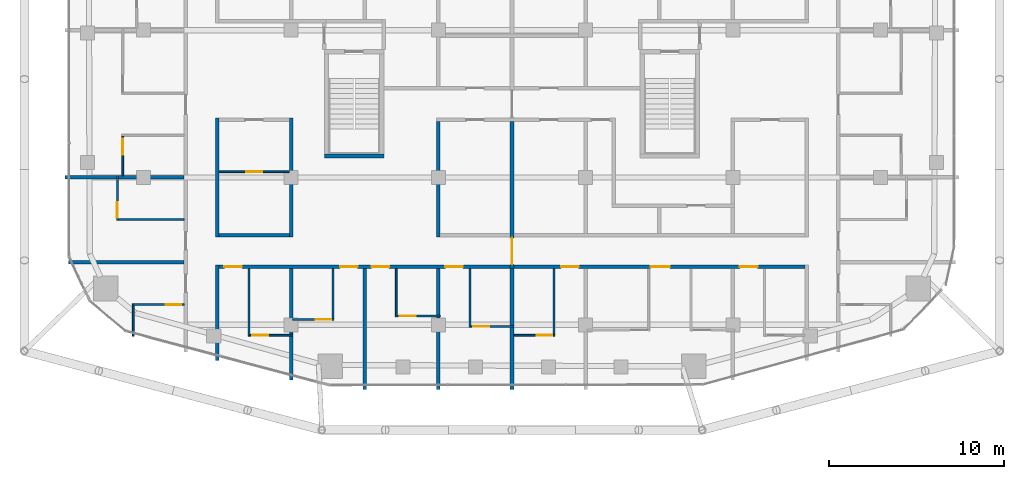
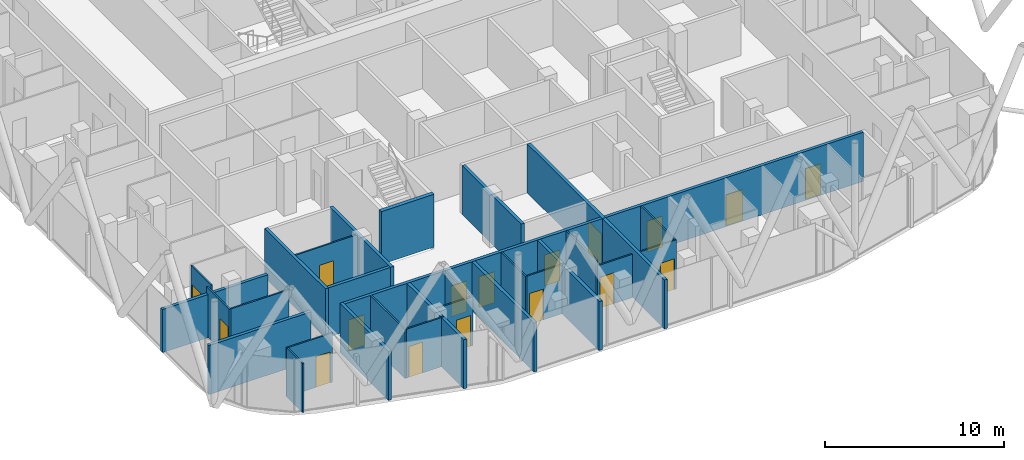
# One storey, part 20 of 28: 30 walls, 17 doors, 17 openings.
"""IFC4 building model written with IfcOpenShell, lengths in metres."""

from ifc_helpers import new_model, si_unit, direction, frame, frame_2d, origin, place, context, subcontext, project, spatial, rectangle, extrude, material, layer, layer_set, type_object, element, fill, save


model = new_model("IFC4")

# Units and contexts
model_context = context("Model", 3, precision=1e-05, world=origin(), true_north=direction((0.0, 1.0)))
body_context = subcontext(model_context, "Body", "Model", "MODEL_VIEW")
ifc_project = project(units=[si_unit("LENGTHUNIT", "METRE"), si_unit("AREAUNIT", "SQUARE_METRE"), si_unit("VOLUMEUNIT", "CUBIC_METRE"), si_unit("PLANEANGLEUNIT", "RADIAN"), si_unit("MASSUNIT", "GRAM", prefix="KILO")], contexts=[model_context])

# Site, building, storey
site_placement = place(None, origin())
site = spatial("IfcSite", under=ifc_project, at=site_placement, CompositionType="ELEMENT")
building_placement = place(site_placement, origin())
building = spatial("IfcBuilding", under=site, at=building_placement, Name="Marenta Gate Hotel Tower", CompositionType="ELEMENT")
storey_placement = place(building_placement, frame((0.0, 0.0, 212.89990234375)))
storey = spatial("IfcBuildingStorey", under=building, at=storey_placement, Name="L49", CompositionType="ELEMENT", Elevation=212.89990234375)

# Wall
ifc_material_1 = material(Name="Concrete blockwork", Category="masonry")
ifc_layer_1 = layer(ifc_material_1, 0.199951171875)
ifc_layer_set_1 = layer_set([ifc_layer_1], Name="Concrete blockwork")
wall_type_1 = type_object("IfcWallType", Name="Compartment wall 200 REI 180", PredefinedType="PARTITIONING", material=ifc_layer_set_1)
wall_1_placement = place(storey_placement, frame((0.0, -28.89990234375, 0.0), z_axis=(0.0, 0.0, 1.0), x_axis=(0.0, 1.0, 0.0)))
element("IfcWall", 1, at=wall_1_placement, inside=storey, type_object=wall_type_1, Name="L49-PTN-W080", PredefinedType="PARTITIONING", context=body_context, shape_type="SweptSolid", body=[
    extrude(rectangle(XDim=6.89990234375, YDim=0.199951171875, at=frame_2d((3.449951171875, 0.0))), origin(), (0.0, 0.0, 1.0), 3.340087890625),
])

# Wall, opening, door
wall_2_placement = place(storey_placement, frame((0.0, -22.0, 0.0), z_axis=(0.0, 0.0, 1.0), x_axis=(0.0, 1.0, 0.0)))
wall_2 = element("IfcWall", 2, at=wall_2_placement, inside=storey, type_object=wall_type_1, Name="L49-PTN-W081", PredefinedType="PARTITIONING", context=body_context, shape_type="SweptSolid", body=[
    extrude(rectangle(XDim=8.39990234375, YDim=0.199951171875, at=frame_2d((4.199951171875, 0.0))), origin(), (0.0, 0.0, 1.0), 3.340087890625),
])
opening_1_placement = place(wall_2_placement, frame((0.25, 0.0, 0.0)))
opening_1 = element("IfcOpeningElement", 3, at=opening_1_placement, cuts=wall_2, Name="Opening G17-FD4", PredefinedType="OPENING", context=body_context, shape_type="SweptSolid", body=[
    extrude(rectangle(XDim=1.5, YDim=2.10009765625, at=frame_2d((0.75, 1.050048828125))), frame((0.0, 0.10009765625, 0.0), z_axis=(0.0, -1.0, 0.0), x_axis=(1.0, 0.0, 0.0)), (0.0, 0.0, 1.0), 0.199951171875),
])
ifc_material_2 = material(Name="Hollow steel door set", Category="steel")
door_type_1 = type_object("IfcDoorType", Name="Compartment fire door 1500x2100 EI 60", OperationType="DOUBLE_DOOR_DOUBLE_SWING", PredefinedType="DOOR", material=ifc_material_2)
door_1_placement = place(opening_1_placement, origin())
door_1 = element("IfcDoor", 4, at=door_1_placement, inside=storey, type_object=door_type_1, Name="L49-PD-FD04", OperationType="DOUBLE_DOOR_DOUBLE_SWING", OverallHeight=2.10009765625, OverallWidth=1.5, PredefinedType="DOOR", context=body_context, shape_type="SweptSolid", body=[
    extrude(rectangle(XDim=1.5, YDim=2.10009765625, at=frame_2d((0.75, 1.050048828125))), frame((0.0, 0.02490234375, 0.0), z_axis=(0.0, -1.0, 0.0), x_axis=(1.0, 0.0, 0.0)), (0.0, 0.0, 1.0), 0.050048828125),
])
fill(opening_1, door_1)

# Walls
ifc_material_3 = material(Name="Concrete C40", Category="concrete")
ifc_layer_2 = layer(ifc_material_3, 0.25)
ifc_layer_set_2 = layer_set([ifc_layer_2], Name="Concrete C40")
wall_type_2 = type_object("IfcWallType", Name="Remote stair enclosure wall 250 REI 180", PredefinedType="SHEAR", material=ifc_layer_set_2)
wall_3_placement = place(storey_placement, frame((-10.699951171875, -15.574951171875, 0.10009765625), z_axis=(0.0, 0.0, 1.0), x_axis=(1.0, 0.0, 0.0)))
element("IfcWall", 5, at=wall_3_placement, inside=storey, type_object=wall_type_2, Name="L49-RS-Z3-1-W1", PredefinedType="SHEAR", context=body_context, shape_type="SweptSolid", body=[
    extrude(rectangle(XDim=3.39990234375, YDim=0.25, at=frame_2d((1.699951171875, 0.0))), origin(), (0.0, 0.0, 1.0), 3.60009765625),
])
ifc_material_4 = material(Name="Concrete blockwork", Category="masonry")
ifc_layer_3 = layer(ifc_material_4, 0.199951171875)
ifc_layer_set_3 = layer_set([ifc_layer_3], Name="Concrete blockwork")
wall_type_3 = type_object("IfcWallType", Name="Room corridor wall 200 EI 120", PredefinedType="PARTITIONING", material=ifc_layer_set_3)
wall_4_placement = place(storey_placement, frame((-16.699951171875, -20.10009765625, 0.0), z_axis=(0.0, 0.0, 1.0), x_axis=(1.0, 0.0, 0.0)))
element("IfcWall", 6, at=wall_4_placement, inside=storey, type_object=wall_type_3, Name="L49-PTN-W025", PredefinedType="PARTITIONING", context=body_context, shape_type="SweptSolid", body=[
    extrude(rectangle(XDim=4.0, YDim=0.199951171875, at=frame_2d((2.0, 0.0))), origin(), (0.0, 0.0, 1.0), 3.340087890625),
])
for number, where, z_axis, x_axis, name in (
    (7, (-12.60009765625, -20.199951171875, 0.0), (0.0, 0.0, 1.0), (0.0, 1.0, 0.0), "L49-PTN-W107"),
    (8, (-16.800048828125, -20.199951171875, 0.0), (0.0, 0.0, 1.0), (0.0, 1.0, 0.0), "L49-PTN-W113"),
):
    element("IfcWall", number, at=place(storey_placement, frame(where, z_axis=z_axis, x_axis=x_axis)), inside=storey, type_object=wall_type_3, Name=name, PredefinedType="PARTITIONING", context=body_context, shape_type="SweptSolid", body=[
        extrude(rectangle(XDim=6.800048828125, YDim=0.199951171875, at=frame_2d((3.39990234375, 0.0))), origin(), (0.0, 0.0, 1.0), 3.340087890625),
    ])

# Wall, openings, doors
ifc_material_5 = material(Name="Gypsum board on steel stud", Category="steel")
ifc_layer_4 = layer(ifc_material_5, 0.199951171875)
ifc_layer_set_4 = layer_set([ifc_layer_4], Name="Gypsum board on steel stud")
wall_type_4 = type_object("IfcWallType", Name="Room corridor wall 200 EI 60", PredefinedType="PARTITIONING", material=ifc_layer_set_4)
wall_5_placement = place(storey_placement, frame((-16.699951171875, -21.89990234375, 0.0), z_axis=(0.0, 0.0, 1.0), x_axis=(1.0, 0.0, 0.0)))
wall_5 = element("IfcWall", 9, at=wall_5_placement, inside=storey, type_object=wall_type_4, Name="L49-PTN-W019", PredefinedType="PARTITIONING", context=body_context, shape_type="SweptSolid", body=[
    extrude(rectangle(XDim=33.39990234375, YDim=0.199951171875, at=frame_2d((16.699951171875, 0.0))), origin(), (0.0, 0.0, 1.0), 3.340087890625),
])
opening_2_placement = place(wall_5_placement, frame((0.300048828125, 0.0, 0.0)))
opening_2 = element("IfcOpeningElement", 10, at=opening_2_placement, cuts=wall_5, Name="Opening G17-41", PredefinedType="OPENING", context=body_context, shape_type="SweptSolid", body=[
    extrude(rectangle(XDim=1.0, YDim=2.10009765625, at=frame_2d((0.5, 1.050048828125))), frame((0.0, 0.10009765625, 0.0), z_axis=(0.0, -1.0, 0.0), x_axis=(1.0, 0.0, 0.0)), (0.0, 0.0, 1.0), 0.199951171875),
])
opening_3_placement = place(wall_5_placement, frame((6.89990234375, 0.0, 0.0)))
opening_3 = element("IfcOpeningElement", 11, at=opening_3_placement, cuts=wall_5, Name="Opening G17-43", PredefinedType="OPENING", context=body_context, shape_type="SweptSolid", body=[
    extrude(rectangle(XDim=1.0, YDim=2.10009765625, at=frame_2d((0.5, 1.050048828125))), frame((0.0, 0.10009765625, 0.0), z_axis=(0.0, -1.0, 0.0), x_axis=(1.0, 0.0, 0.0)), (0.0, 0.0, 1.0), 0.199951171875),
])
opening_4_placement = place(wall_5_placement, frame((8.699951171875, 0.0, 0.0)))
opening_4 = element("IfcOpeningElement", 12, at=opening_4_placement, cuts=wall_5, Name="Opening G17-45", PredefinedType="OPENING", context=body_context, shape_type="SweptSolid", body=[
    extrude(rectangle(XDim=1.0, YDim=2.10009765625, at=frame_2d((0.5, 1.050048828125))), frame((0.0, 0.10009765625, 0.0), z_axis=(0.0, -1.0, 0.0), x_axis=(1.0, 0.0, 0.0)), (0.0, 0.0, 1.0), 0.199951171875),
])
opening_5_placement = place(wall_5_placement, frame((12.89990234375, 0.0, 0.0)))
opening_5 = element("IfcOpeningElement", 13, at=opening_5_placement, cuts=wall_5, Name="Opening G17-47", PredefinedType="OPENING", context=body_context, shape_type="SweptSolid", body=[
    extrude(rectangle(XDim=1.0, YDim=2.10009765625, at=frame_2d((0.5, 1.050048828125))), frame((0.0, 0.10009765625, 0.0), z_axis=(0.0, -1.0, 0.0), x_axis=(1.0, 0.0, 0.0)), (0.0, 0.0, 1.0), 0.199951171875),
])
opening_6_placement = place(wall_5_placement, frame((19.5, 0.0, 0.0)))
opening_6 = element("IfcOpeningElement", 14, at=opening_6_placement, cuts=wall_5, Name="Opening G17-49", PredefinedType="OPENING", context=body_context, shape_type="SweptSolid", body=[
    extrude(rectangle(XDim=1.0, YDim=2.10009765625, at=frame_2d((0.5, 1.050048828125))), frame((0.0, 0.10009765625, 0.0), z_axis=(0.0, -1.0, 0.0), x_axis=(1.0, 0.0, 0.0)), (0.0, 0.0, 1.0), 0.199951171875),
])
opening_7_placement = place(wall_5_placement, frame((24.60009765625, 0.0, 0.0)))
opening_7 = element("IfcOpeningElement", 15, at=opening_7_placement, cuts=wall_5, Name="Opening G17-51", PredefinedType="OPENING", context=body_context, shape_type="SweptSolid", body=[
    extrude(rectangle(XDim=1.10009765625, YDim=2.10009765625, at=frame_2d((0.550048828125, 1.050048828125))), frame((0.0, 0.10009765625, 0.0), z_axis=(0.0, -1.0, 0.0), x_axis=(1.0, 0.0, 0.0)), (0.0, 0.0, 1.0), 0.199951171875),
])
opening_8_placement = place(wall_5_placement, frame((29.699951171875, 0.0, 0.0)))
opening_8 = element("IfcOpeningElement", 16, at=opening_8_placement, cuts=wall_5, Name="Opening G17-54", PredefinedType="OPENING", context=body_context, shape_type="SweptSolid", body=[
    extrude(rectangle(XDim=1.0, YDim=2.10009765625, at=frame_2d((0.5, 1.050048828125))), frame((0.0, 0.10009765625, 0.0), z_axis=(0.0, -1.0, 0.0), x_axis=(1.0, 0.0, 0.0)), (0.0, 0.0, 1.0), 0.199951171875),
])
ifc_material_6 = material(Name="Timber door leaf", Category="wood")
door_type_2 = type_object("IfcDoorType", Name="Guest room door 1000x2100 EI 30", OperationType="NOTDEFINED", PredefinedType="DOOR", material=ifc_material_6)
door_2_placement = place(opening_2_placement, origin())
door_2 = element("IfcDoor", 17, at=door_2_placement, inside=storey, type_object=door_type_2, Name="L49-PD-D041", OperationType="SINGLE_SWING_RIGHT", OverallHeight=2.10009765625, OverallWidth=1.0, PredefinedType="DOOR", context=body_context, shape_type="SweptSolid", body=[
    extrude(rectangle(XDim=1.0, YDim=2.10009765625, at=frame_2d((0.5, 1.050048828125))), frame((0.0, 0.02490234375, 0.0), z_axis=(0.0, -1.0, 0.0), x_axis=(1.0, 0.0, 0.0)), (0.0, 0.0, 1.0), 0.050048828125),
])
fill(opening_2, door_2)
door_3_placement = place(opening_3_placement, origin())
door_3 = element("IfcDoor", 18, at=door_3_placement, inside=storey, type_object=door_type_2, Name="L49-PD-D043", OperationType="SINGLE_SWING_LEFT", OverallHeight=2.10009765625, OverallWidth=1.0, PredefinedType="DOOR", context=body_context, shape_type="SweptSolid", body=[
    extrude(rectangle(XDim=1.0, YDim=2.10009765625, at=frame_2d((0.5, 1.050048828125))), frame((0.0, 0.02490234375, 0.0), z_axis=(0.0, -1.0, 0.0), x_axis=(1.0, 0.0, 0.0)), (0.0, 0.0, 1.0), 0.050048828125),
])
fill(opening_3, door_3)
door_4_placement = place(opening_4_placement, origin())
door_4 = element("IfcDoor", 19, at=door_4_placement, inside=storey, type_object=door_type_2, Name="L49-PD-D045", OperationType="SINGLE_SWING_LEFT", OverallHeight=2.10009765625, OverallWidth=1.0, PredefinedType="DOOR", context=body_context, shape_type="SweptSolid", body=[
    extrude(rectangle(XDim=1.0, YDim=2.10009765625, at=frame_2d((0.5, 1.050048828125))), frame((0.0, 0.02490234375, 0.0), z_axis=(0.0, -1.0, 0.0), x_axis=(1.0, 0.0, 0.0)), (0.0, 0.0, 1.0), 0.050048828125),
])
fill(opening_4, door_4)
door_5_placement = place(opening_5_placement, origin())
door_5 = element("IfcDoor", 20, at=door_5_placement, inside=storey, type_object=door_type_2, Name="L49-PD-D047", OperationType="SINGLE_SWING_LEFT", OverallHeight=2.10009765625, OverallWidth=1.0, PredefinedType="DOOR", context=body_context, shape_type="SweptSolid", body=[
    extrude(rectangle(XDim=1.0, YDim=2.10009765625, at=frame_2d((0.5, 1.050048828125))), frame((0.0, 0.02490234375, 0.0), z_axis=(0.0, -1.0, 0.0), x_axis=(1.0, 0.0, 0.0)), (0.0, 0.0, 1.0), 0.050048828125),
])
fill(opening_5, door_5)
door_6_placement = place(opening_6_placement, origin())
door_6 = element("IfcDoor", 21, at=door_6_placement, inside=storey, type_object=door_type_2, Name="L49-PD-D049", OperationType="SINGLE_SWING_LEFT", OverallHeight=2.10009765625, OverallWidth=1.0, PredefinedType="DOOR", context=body_context, shape_type="SweptSolid", body=[
    extrude(rectangle(XDim=1.0, YDim=2.10009765625, at=frame_2d((0.5, 1.050048828125))), frame((0.0, 0.02490234375, 0.0), z_axis=(0.0, -1.0, 0.0), x_axis=(1.0, 0.0, 0.0)), (0.0, 0.0, 1.0), 0.050048828125),
])
fill(opening_6, door_6)
door_7_placement = place(opening_8_placement, origin())
door_7 = element("IfcDoor", 22, at=door_7_placement, inside=storey, type_object=door_type_2, Name="L49-PD-D054", OperationType="SINGLE_SWING_RIGHT", OverallHeight=2.10009765625, OverallWidth=1.0, PredefinedType="DOOR", context=body_context, shape_type="SweptSolid", body=[
    extrude(rectangle(XDim=1.0, YDim=2.10009765625, at=frame_2d((0.5, 1.050048828125))), frame((0.0, 0.02490234375, 0.0), z_axis=(0.0, -1.0, 0.0), x_axis=(1.0, 0.0, 0.0)), (0.0, 0.0, 1.0), 0.050048828125),
])
fill(opening_8, door_7)
ifc_material_7 = material(Name="Timber door leaf", Category="wood")
door_type_3 = type_object("IfcDoorType", Name="Guest room door 1100x2100 EI 30", OperationType="NOTDEFINED", PredefinedType="DOOR", material=ifc_material_7)
door_8_placement = place(opening_7_placement, origin())
door_8 = element("IfcDoor", 23, at=door_8_placement, inside=storey, type_object=door_type_3, Name="L49-PD-D051", OperationType="SINGLE_SWING_RIGHT", OverallHeight=2.10009765625, OverallWidth=1.10009765625, PredefinedType="DOOR", context=body_context, shape_type="SweptSolid", body=[
    extrude(rectangle(XDim=1.10009765625, YDim=2.10009765625, at=frame_2d((0.550048828125, 1.050048828125))), frame((0.0, 0.02490234375, 0.0), z_axis=(0.0, -1.0, 0.0), x_axis=(1.0, 0.0, 0.0)), (0.0, 0.0, 1.0), 0.050048828125),
])
fill(opening_7, door_8)

# Walls
wall_6_placement = place(storey_placement, frame((-4.199951171875, -20.199951171875, 0.0), z_axis=(0.0, 0.0, 1.0), x_axis=(0.0, 1.0, 0.0)))
element("IfcWall", 24, at=wall_6_placement, inside=storey, type_object=wall_type_4, Name="L49-PTN-W090", PredefinedType="PARTITIONING", context=body_context, shape_type="SweptSolid", body=[
    extrude(rectangle(XDim=6.599853515625, YDim=0.199951171875, at=frame_2d((3.2998046875, 0.0))), origin(), (0.0, 0.0, 1.0), 3.340087890625),
])
wall_7_placement = place(storey_placement, frame((-16.800048828125, -27.22900390625, 0.0), z_axis=(0.0, 0.0, 1.0), x_axis=(0.0, 1.0, 0.0)))
element("IfcWall", 25, at=wall_7_placement, inside=storey, type_object=wall_type_4, Name="L49-PTN-W112", PredefinedType="PARTITIONING", context=body_context, shape_type="SweptSolid", body=[
    extrude(rectangle(XDim=5.428955078125, YDim=0.199951171875, at=frame_2d((2.71435546875, 0.0))), origin(), (0.0, 0.0, 1.0), 3.340087890625),
])

# Wall, opening, door
ifc_material_8 = material(Name="Gypsum board on steel stud", Category="steel")
ifc_layer_5 = layer(ifc_material_8, 0.10009765625)
ifc_layer_set_5 = layer_set([ifc_layer_5], Name="Gypsum board on steel stud")
wall_type_5 = type_object("IfcWallType", Name="Room partition 100", PredefinedType="PARTITIONING", material=ifc_layer_set_5)
wall_8_placement = place(storey_placement, frame((-14.949951171875, -25.800048828125, 0.0), z_axis=(0.0, 0.0, 1.0), x_axis=(1.0, 0.0, 0.0)))
wall_8 = element("IfcWall", 26, at=wall_8_placement, inside=storey, type_object=wall_type_5, Name="L49-PTN-W001", PredefinedType="PARTITIONING", context=body_context, shape_type="SweptSolid", body=[
    extrude(rectangle(XDim=2.449951171875, YDim=0.10009765625, at=frame_2d((1.22509765625, 0.0))), origin(), (0.0, 0.0, 1.0), 3.340087890625),
])
opening_9_placement = place(wall_8_placement, frame((0.14990234375, 0.0, 0.0)))
opening_9 = element("IfcOpeningElement", 27, at=opening_9_placement, cuts=wall_8, Name="Opening G17-42", PredefinedType="OPENING", context=body_context, shape_type="SweptSolid", body=[
    extrude(rectangle(XDim=0.89990234375, YDim=2.10009765625, at=frame_2d((0.449951171875, 1.050048828125))), frame((0.0, 0.050048828125, 0.0), z_axis=(0.0, -1.0, 0.0), x_axis=(1.0, 0.0, 0.0)), (0.0, 0.0, 1.0), 0.10009765625),
])
ifc_material_9 = material(Name="Timber door leaf", Category="wood")
door_type_4 = type_object("IfcDoorType", Name="Guest bathroom door 900x2100", OperationType="NOTDEFINED", PredefinedType="DOOR", material=ifc_material_9)
door_9_placement = place(opening_9_placement, origin())
door_9 = element("IfcDoor", 28, at=door_9_placement, inside=storey, type_object=door_type_4, Name="L49-PD-D042", OperationType="SINGLE_SWING_LEFT", OverallHeight=2.10009765625, OverallWidth=0.89990234375, PredefinedType="DOOR", context=body_context, shape_type="SweptSolid", body=[
    extrude(rectangle(XDim=0.89990234375, YDim=2.10009765625, at=frame_2d((0.449951171875, 1.050048828125))), frame((0.0, 0.02490234375, 0.0), z_axis=(0.0, -1.0, 0.0), x_axis=(1.0, 0.0, 0.0)), (0.0, 0.0, 1.0), 0.050048828125),
])
fill(opening_9, door_9)

wall_9_placement = place(storey_placement, frame((0.10009765625, -25.800048828125, 0.0), z_axis=(0.0, 0.0, 1.0), x_axis=(1.0, 0.0, 0.0)))
wall_9 = element("IfcWall", 29, at=wall_9_placement, inside=storey, type_object=wall_type_5, Name="L49-PTN-W002", PredefinedType="PARTITIONING", context=body_context, shape_type="SweptSolid", body=[
    extrude(rectangle(XDim=2.349853515625, YDim=0.10009765625, at=frame_2d((1.1748046875, 0.0))), origin(), (0.0, 0.0, 1.0), 3.340087890625),
])
opening_10_placement = place(wall_9_placement, frame((1.300048828125, 0.0, 0.0)))
opening_10 = element("IfcOpeningElement", 30, at=opening_10_placement, cuts=wall_9, Name="Opening G17-50", PredefinedType="OPENING", context=body_context, shape_type="SweptSolid", body=[
    extrude(rectangle(XDim=0.89990234375, YDim=2.10009765625, at=frame_2d((0.449951171875, 1.050048828125))), frame((0.0, 0.050048828125, 0.0), z_axis=(0.0, -1.0, 0.0), x_axis=(1.0, 0.0, 0.0)), (0.0, 0.0, 1.0), 0.10009765625),
])
door_10_placement = place(opening_10_placement, origin())
door_10 = element("IfcDoor", 31, at=door_10_placement, inside=storey, type_object=door_type_4, Name="L49-PD-D050", OperationType="SINGLE_SWING_RIGHT", OverallHeight=2.10009765625, OverallWidth=0.89990234375, PredefinedType="DOOR", context=body_context, shape_type="SweptSolid", body=[
    extrude(rectangle(XDim=0.89990234375, YDim=2.10009765625, at=frame_2d((0.449951171875, 1.050048828125))), frame((0.0, 0.02490234375, 0.0), z_axis=(0.0, -1.0, 0.0), x_axis=(1.0, 0.0, 0.0)), (0.0, 0.0, 1.0), 0.050048828125),
])
fill(opening_10, door_10)

wall_10_placement = place(storey_placement, frame((-2.35009765625, -25.300048828125, 0.0), z_axis=(0.0, 0.0, 1.0), x_axis=(1.0, 0.0, 0.0)))
wall_10 = element("IfcWall", 32, at=wall_10_placement, inside=storey, type_object=wall_type_5, Name="L49-PTN-W006", PredefinedType="PARTITIONING", context=body_context, shape_type="SweptSolid", body=[
    extrude(rectangle(XDim=2.4501953125, YDim=0.10009765625, at=frame_2d((1.22509765625, 0.0))), origin(), (0.0, 0.0, 1.0), 2.940185546875),
])
opening_11_placement = place(wall_10_placement, frame((0.14990234375, 0.0, 0.0)))
opening_11 = element("IfcOpeningElement", 33, at=opening_11_placement, cuts=wall_10, Name="Opening G17-48", PredefinedType="OPENING", context=body_context, shape_type="SweptSolid", body=[
    extrude(rectangle(XDim=0.89990234375, YDim=2.10009765625, at=frame_2d((0.449951171875, 1.050048828125))), frame((0.0, 0.050048828125, 0.0), z_axis=(0.0, -1.0, 0.0), x_axis=(1.0, 0.0, 0.0)), (0.0, 0.0, 1.0), 0.10009765625),
])
door_11_placement = place(opening_11_placement, origin())
door_11 = element("IfcDoor", 34, at=door_11_placement, inside=storey, type_object=door_type_4, Name="L49-PD-D048", OperationType="SINGLE_SWING_LEFT", OverallHeight=2.10009765625, OverallWidth=0.89990234375, PredefinedType="DOOR", context=body_context, shape_type="SweptSolid", body=[
    extrude(rectangle(XDim=0.89990234375, YDim=2.10009765625, at=frame_2d((0.449951171875, 1.050048828125))), frame((0.0, 0.02490234375, 0.0), z_axis=(0.0, -1.0, 0.0), x_axis=(1.0, 0.0, 0.0)), (0.0, 0.0, 1.0), 0.050048828125),
])
fill(opening_11, door_11)

wall_11_placement = place(storey_placement, frame((-12.5, -24.89990234375, 0.0), z_axis=(0.0, 0.0, 1.0), x_axis=(1.0, 0.0, 0.0)))
wall_11 = element("IfcWall", 35, at=wall_11_placement, inside=storey, type_object=wall_type_5, Name="L49-PTN-W007", PredefinedType="PARTITIONING", context=body_context, shape_type="SweptSolid", body=[
    extrude(rectangle(XDim=2.35009765625, YDim=0.10009765625, at=frame_2d((1.175048828125, 0.0))), origin(), (0.0, 0.0, 1.0), 3.340087890625),
])
opening_12_placement = place(wall_11_placement, frame((1.300048828125, 0.0, 0.0)))
opening_12 = element("IfcOpeningElement", 36, at=opening_12_placement, cuts=wall_11, Name="Opening G17-44", PredefinedType="OPENING", context=body_context, shape_type="SweptSolid", body=[
    extrude(rectangle(XDim=0.89990234375, YDim=2.10009765625, at=frame_2d((0.449951171875, 1.050048828125))), frame((0.0, 0.050048828125, 0.0), z_axis=(0.0, -1.0, 0.0), x_axis=(1.0, 0.0, 0.0)), (0.0, 0.0, 1.0), 0.10009765625),
])
door_12_placement = place(opening_12_placement, origin())
door_12 = element("IfcDoor", 37, at=door_12_placement, inside=storey, type_object=door_type_4, Name="L49-PD-D044", OperationType="SINGLE_SWING_RIGHT", OverallHeight=2.10009765625, OverallWidth=0.89990234375, PredefinedType="DOOR", context=body_context, shape_type="SweptSolid", body=[
    extrude(rectangle(XDim=0.89990234375, YDim=2.10009765625, at=frame_2d((0.449951171875, 1.050048828125))), frame((0.0, 0.02490234375, 0.0), z_axis=(0.0, -1.0, 0.0), x_axis=(1.0, 0.0, 0.0)), (0.0, 0.0, 1.0), 0.050048828125),
])
fill(opening_12, door_12)

wall_12_placement = place(storey_placement, frame((-6.550048828125, -24.699951171875, 0.0), z_axis=(0.0, 0.0, 1.0), x_axis=(1.0, 0.0, 0.0)))
wall_12 = element("IfcWall", 38, at=wall_12_placement, inside=storey, type_object=wall_type_5, Name="L49-PTN-W008", PredefinedType="PARTITIONING", context=body_context, shape_type="SweptSolid", body=[
    extrude(rectangle(XDim=2.449951171875, YDim=0.10009765625, at=frame_2d((1.22509765625, 0.0))), origin(), (0.0, 0.0, 1.0), 3.340087890625),
])
opening_13_placement = place(wall_12_placement, frame((0.14990234375, 0.0, 0.0)))
opening_13 = element("IfcOpeningElement", 39, at=opening_13_placement, cuts=wall_12, Name="Opening G17-46", PredefinedType="OPENING", context=body_context, shape_type="SweptSolid", body=[
    extrude(rectangle(XDim=0.89990234375, YDim=2.10009765625, at=frame_2d((0.449951171875, 1.050048828125))), frame((0.0, 0.050048828125, 0.0), z_axis=(0.0, -1.0, 0.0), x_axis=(1.0, 0.0, 0.0)), (0.0, 0.0, 1.0), 0.10009765625),
])
door_13_placement = place(opening_13_placement, origin())
door_13 = element("IfcDoor", 40, at=door_13_placement, inside=storey, type_object=door_type_4, Name="L49-PD-D046", OperationType="SINGLE_SWING_LEFT", OverallHeight=2.10009765625, OverallWidth=0.89990234375, PredefinedType="DOOR", context=body_context, shape_type="SweptSolid", body=[
    extrude(rectangle(XDim=0.89990234375, YDim=2.10009765625, at=frame_2d((0.449951171875, 1.050048828125))), frame((0.0, 0.02490234375, 0.0), z_axis=(0.0, -1.0, 0.0), x_axis=(1.0, 0.0, 0.0)), (0.0, 0.0, 1.0), 0.050048828125),
])
fill(opening_13, door_13)

wall_13_placement = place(storey_placement, frame((-21.64990234375, -24.051025390625, 0.0), z_axis=(0.0, 0.0, 1.0), x_axis=(1.0, 0.0, 0.0)))
wall_13 = element("IfcWall", 41, at=wall_13_placement, inside=storey, type_object=wall_type_5, Name="L49-PTN-W009", PredefinedType="PARTITIONING", context=body_context, shape_type="SweptSolid", body=[
    extrude(rectangle(XDim=2.949951171875, YDim=0.10009765625, at=frame_2d((1.47509765625, 0.0))), origin(), (0.0, 0.0, 1.0), 3.340087890625),
])
opening_14_placement = place(wall_13_placement, frame((1.89990234375, 0.0, 0.0)))
opening_14 = element("IfcOpeningElement", 42, at=opening_14_placement, cuts=wall_13, Name="Opening G17-57", PredefinedType="OPENING", context=body_context, shape_type="SweptSolid", body=[
    extrude(rectangle(XDim=0.89990234375, YDim=2.10009765625, at=frame_2d((0.449951171875, 1.050048828125))), frame((0.0, 0.050048828125, 0.0), z_axis=(0.0, -1.0, 0.0), x_axis=(1.0, 0.0, 0.0)), (0.0, 0.0, 1.0), 0.10009765625),
])
door_14_placement = place(opening_14_placement, origin())
door_14 = element("IfcDoor", 43, at=door_14_placement, inside=storey, type_object=door_type_4, Name="L49-PD-D057", OperationType="SINGLE_SWING_LEFT", OverallHeight=2.10009765625, OverallWidth=0.89990234375, PredefinedType="DOOR", context=body_context, shape_type="SweptSolid", body=[
    extrude(rectangle(XDim=0.89990234375, YDim=2.10009765625, at=frame_2d((0.449951171875, 1.050048828125))), frame((0.0, 0.02490234375, 0.0), z_axis=(0.0, -1.0, 0.0), x_axis=(1.0, 0.0, 0.0)), (0.0, 0.0, 1.0), 0.050048828125),
])
fill(opening_14, door_14)

# Wall
wall_14_placement = place(storey_placement, frame((-22.449951171875, -19.199951171875, 0.0), z_axis=(0.0, 0.0, 1.0), x_axis=(1.0, 0.0, 0.0)))
element("IfcWall", 44, at=wall_14_placement, inside=storey, type_object=wall_type_5, Name="L49-PTN-W027", PredefinedType="PARTITIONING", context=body_context, shape_type="SweptSolid", body=[
    extrude(rectangle(XDim=3.75, YDim=0.10009765625, at=frame_2d((1.875, 0.0))), origin(), (0.0, 0.0, 1.0), 3.340087890625),
])

# Wall, opening, door
wall_15_placement = place(storey_placement, frame((-16.699951171875, -16.469970703125, 0.0), z_axis=(0.0, 0.0, 1.0), x_axis=(1.0, 0.0, 0.0)))
wall_15 = element("IfcWall", 45, at=wall_15_placement, inside=storey, type_object=wall_type_5, Name="L49-PTN-W037", PredefinedType="PARTITIONING", context=body_context, shape_type="SweptSolid", body=[
    extrude(rectangle(XDim=4.0, YDim=0.10009765625, at=frame_2d((2.0, 0.0))), origin(), (0.0, 0.0, 1.0), 3.340087890625),
])
opening_15_placement = place(wall_15_placement, frame((1.550048828125, 0.0, 0.0)))
opening_15 = element("IfcOpeningElement", 46, at=opening_15_placement, cuts=wall_15, Name="Opening G17-10", PredefinedType="OPENING", context=body_context, shape_type="SweptSolid", body=[
    extrude(rectangle(XDim=0.89990234375, YDim=2.10009765625, at=frame_2d((0.449951171875, 1.050048828125))), frame((0.0, 0.050048828125, 0.0), z_axis=(0.0, -1.0, 0.0), x_axis=(1.0, 0.0, 0.0)), (0.0, 0.0, 1.0), 0.10009765625),
])
ifc_material_10 = material(Name="Timber door leaf", Category="wood")
door_type_5 = type_object("IfcDoorType", Name="Room inner door 900x2100", OperationType="NOTDEFINED", PredefinedType="DOOR", material=ifc_material_10)
door_15_placement = place(opening_15_placement, origin())
door_15 = element("IfcDoor", 47, at=door_15_placement, inside=storey, type_object=door_type_5, Name="L49-PD-D010", OperationType="SINGLE_SWING_LEFT", OverallHeight=2.10009765625, OverallWidth=0.89990234375, PredefinedType="DOOR", context=body_context, shape_type="SweptSolid", body=[
    extrude(rectangle(XDim=0.89990234375, YDim=2.10009765625, at=frame_2d((0.449951171875, 1.050048828125))), frame((0.0, 0.02490234375, 0.0), z_axis=(0.0, -1.0, 0.0), x_axis=(1.0, 0.0, 0.0)), (0.0, 0.0, 1.0), 0.050048828125),
])
fill(opening_15, door_15)

# Walls
wall_16_placement = place(storey_placement, frame((2.39990234375, -25.75, 0.0), z_axis=(0.0, 0.0, 1.0), x_axis=(0.0, 1.0, 0.0)))
element("IfcWall", 48, at=wall_16_placement, inside=storey, type_object=wall_type_5, Name="L49-PTN-W076", PredefinedType="PARTITIONING", context=body_context, shape_type="SweptSolid", body=[
    extrude(rectangle(XDim=3.75, YDim=0.10009765625, at=frame_2d((1.875, 0.0))), origin(), (0.0, 0.0, 1.0), 3.340087890625),
])
wall_17_placement = place(storey_placement, frame((-2.39990234375, -25.35009765625, 0.0), z_axis=(0.0, 0.0, 1.0), x_axis=(0.0, 1.0, 0.0)))
element("IfcWall", 49, at=wall_17_placement, inside=storey, type_object=wall_type_5, Name="L49-PTN-W085", PredefinedType="PARTITIONING", context=body_context, shape_type="SweptSolid", body=[
    extrude(rectangle(XDim=3.35009765625, YDim=0.10009765625, at=frame_2d((1.675048828125, 0.0))), origin(), (0.0, 0.0, 1.0), 3.340087890625),
])
wall_18_placement = place(storey_placement, frame((-6.60009765625, -24.75, 0.0), z_axis=(0.0, 0.0, 1.0), x_axis=(0.0, 1.0, 0.0)))
element("IfcWall", 50, at=wall_18_placement, inside=storey, type_object=wall_type_5, Name="L49-PTN-W094", PredefinedType="PARTITIONING", context=body_context, shape_type="SweptSolid", body=[
    extrude(rectangle(XDim=2.75, YDim=0.10009765625, at=frame_2d((1.375, 0.0))), origin(), (0.0, 0.0, 1.0), 3.340087890625),
])
wall_19_placement = place(storey_placement, frame((-10.199951171875, -24.85009765625, 0.0), z_axis=(0.0, 0.0, 1.0), x_axis=(0.0, 1.0, 0.0)))
element("IfcWall", 51, at=wall_19_placement, inside=storey, type_object=wall_type_5, Name="L49-PTN-W100", PredefinedType="PARTITIONING", context=body_context, shape_type="SweptSolid", body=[
    extrude(rectangle(XDim=2.85009765625, YDim=0.10009765625, at=frame_2d((1.425048828125, 0.0))), origin(), (0.0, 0.0, 1.0), 3.340087890625),
])
wall_20_placement = place(storey_placement, frame((-15.0, -25.85009765625, 0.0), z_axis=(0.0, 0.0, 1.0), x_axis=(0.0, 1.0, 0.0)))
element("IfcWall", 52, at=wall_20_placement, inside=storey, type_object=wall_type_5, Name="L49-PTN-W111", PredefinedType="PARTITIONING", context=body_context, shape_type="SweptSolid", body=[
    extrude(rectangle(XDim=3.85009765625, YDim=0.10009765625, at=frame_2d((1.925048828125, 0.0))), origin(), (0.0, 0.0, 1.0), 3.340087890625),
])
wall_21_placement = place(storey_placement, frame((-21.60009765625, -25.85107421875, 0.0), z_axis=(0.0, 0.0, 1.0), x_axis=(0.0, 1.0, 0.0)))
element("IfcWall", 53, at=wall_21_placement, inside=storey, type_object=wall_type_5, Name="L49-PTN-W124", PredefinedType="PARTITIONING", context=body_context, shape_type="SweptSolid", body=[
    extrude(rectangle(XDim=1.75, YDim=0.10009765625, at=frame_2d((0.875, 0.0))), origin(), (0.0, 0.0, 1.0), 3.340087890625),
])

# Wall, opening, door
wall_22_placement = place(storey_placement, frame((-22.199951171875, -16.699951171875, 0.0), z_axis=(0.0, 0.0, 1.0), x_axis=(0.0, 1.0, 0.0)))
wall_22 = element("IfcWall", 54, at=wall_22_placement, inside=storey, type_object=wall_type_5, Name="L49-PTN-W126", PredefinedType="PARTITIONING", context=body_context, shape_type="SweptSolid", body=[
    extrude(rectangle(XDim=2.25, YDim=0.10009765625, at=frame_2d((1.125, 0.0))), origin(), (0.0, 0.0, 1.0), 3.340087890625),
])
opening_16_placement = place(wall_22_placement, frame((1.199951171875, 0.0, 0.0)))
opening_16 = element("IfcOpeningElement", 55, at=opening_16_placement, cuts=wall_22, Name="Opening G17-62", PredefinedType="OPENING", context=body_context, shape_type="SweptSolid", body=[
    extrude(rectangle(XDim=0.89990234375, YDim=2.10009765625, at=frame_2d((0.449951171875, 1.050048828125))), frame((0.0, 0.050048828125, 0.0), z_axis=(0.0, -1.0, 0.0), x_axis=(1.0, 0.0, 0.0)), (0.0, 0.0, 1.0), 0.10009765625),
])
door_16_placement = place(opening_16_placement, origin())
door_16 = element("IfcDoor", 56, at=door_16_placement, inside=storey, type_object=door_type_5, Name="L49-PD-D062", OperationType="SINGLE_SWING_LEFT", OverallHeight=2.10009765625, OverallWidth=0.89990234375, PredefinedType="DOOR", context=body_context, shape_type="SweptSolid", body=[
    extrude(rectangle(XDim=0.89990234375, YDim=2.10009765625, at=frame_2d((0.449951171875, 1.050048828125))), frame((0.0, 0.02490234375, 0.0), z_axis=(0.0, -1.0, 0.0), x_axis=(1.0, 0.0, 0.0)), (0.0, 0.0, 1.0), 0.050048828125),
])
fill(opening_16, door_16)

wall_23_placement = place(storey_placement, frame((-22.5, -19.25, 0.0), z_axis=(0.0, 0.0, 1.0), x_axis=(0.0, 1.0, 0.0)))
wall_23 = element("IfcWall", 57, at=wall_23_placement, inside=storey, type_object=wall_type_5, Name="L49-PTN-W130", PredefinedType="PARTITIONING", context=body_context, shape_type="SweptSolid", body=[
    extrude(rectangle(XDim=2.550048828125, YDim=0.10009765625, at=frame_2d((1.27490234375, 0.0))), origin(), (0.0, 0.0, 1.0), 3.340087890625),
])
opening_17_placement = place(wall_23_placement, frame((0.14990234375, 0.0, 0.0)))
opening_17 = element("IfcOpeningElement", 58, at=opening_17_placement, cuts=wall_23, Name="Opening G17-59", PredefinedType="OPENING", context=body_context, shape_type="SweptSolid", body=[
    extrude(rectangle(XDim=0.89990234375, YDim=2.10009765625, at=frame_2d((0.449951171875, 1.050048828125))), frame((0.0, 0.050048828125, 0.0), z_axis=(0.0, -1.0, 0.0), x_axis=(1.0, 0.0, 0.0)), (0.0, 0.0, 1.0), 0.10009765625),
])
door_17_placement = place(opening_17_placement, origin())
door_17 = element("IfcDoor", 59, at=door_17_placement, inside=storey, type_object=door_type_4, Name="L49-PD-D059", OperationType="SINGLE_SWING_RIGHT", OverallHeight=2.10009765625, OverallWidth=0.89990234375, PredefinedType="DOOR", context=body_context, shape_type="SweptSolid", body=[
    extrude(rectangle(XDim=0.89990234375, YDim=2.10009765625, at=frame_2d((0.449951171875, 1.050048828125))), frame((0.0, 0.02490234375, 0.0), z_axis=(0.0, -1.0, 0.0), x_axis=(1.0, 0.0, 0.0)), (0.0, 0.0, 1.0), 0.050048828125),
])
fill(opening_17, door_17)

# Walls
ifc_material_11 = material(Name="Gypsum board on steel stud", Category="steel")
ifc_layer_6 = layer(ifc_material_11, 0.199951171875)
ifc_layer_set_6 = layer_set([ifc_layer_6], Name="Gypsum board on steel stud")
wall_type_6 = type_object("IfcWallType", Name="Room party wall 200 EI 60", PredefinedType="PARTITIONING", material=ifc_layer_set_6)
wall_24_placement = place(storey_placement, frame((-25.27587890625, -21.625, 0.0), z_axis=(0.0, 0.0, 1.0), x_axis=(1.0, 0.0, 0.0)))
element("IfcWall", 60, at=wall_24_placement, inside=storey, type_object=wall_type_6, Name="L49-PTN-W020", PredefinedType="PARTITIONING", context=body_context, shape_type="SweptSolid", body=[
    extrude(rectangle(XDim=6.575927734375, YDim=0.199951171875, at=frame_2d((3.2880859375, 0.0))), origin(), (0.0, 0.0, 1.0), 3.340087890625),
])
wall_25_placement = place(storey_placement, frame((-25.5, -16.800048828125, 0.0), z_axis=(0.0, 0.0, 1.0), x_axis=(1.0, 0.0, 0.0)))
element("IfcWall", 61, at=wall_25_placement, inside=storey, type_object=wall_type_6, Name="L49-PTN-W035", PredefinedType="PARTITIONING", context=body_context, shape_type="SweptSolid", body=[
    extrude(rectangle(XDim=6.800048828125, YDim=0.199951171875, at=frame_2d((3.39990234375, 0.0))), origin(), (0.0, 0.0, 1.0), 2.940185546875),
])
for number, where, z_axis, x_axis, name in (
    (62, (-4.199951171875, -28.89990234375, 0.0), (0.0, 0.0, 1.0), (0.0, 1.0, 0.0), "L49-PTN-W087"),
    (63, (-8.39990234375, -28.89990234375, 0.0), (0.0, 0.0, 1.0), (0.0, 1.0, 0.0), "L49-PTN-W096"),
):
    element("IfcWall", number, at=place(storey_placement, frame(where, z_axis=z_axis, x_axis=x_axis)), inside=storey, type_object=wall_type_6, Name=name, PredefinedType="PARTITIONING", context=body_context, shape_type="SweptSolid", body=[
        extrude(rectangle(XDim=6.89990234375, YDim=0.199951171875, at=frame_2d((3.449951171875, 0.0))), origin(), (0.0, 0.0, 1.0), 3.340087890625),
    ])
wall_26_placement = place(storey_placement, frame((-12.60009765625, -28.343017578125, 0.0), z_axis=(0.0, 0.0, 1.0), x_axis=(0.0, 1.0, 0.0)))
element("IfcWall", 64, at=wall_26_placement, inside=storey, type_object=wall_type_6, Name="L49-PTN-W104", PredefinedType="PARTITIONING", context=body_context, shape_type="SweptSolid", body=[
    extrude(rectangle(XDim=6.343017578125, YDim=0.199951171875, at=frame_2d((3.17138671875, 0.0))), origin(), (0.0, 0.0, 1.0), 3.340087890625),
])

save(model, "model.ifc")
